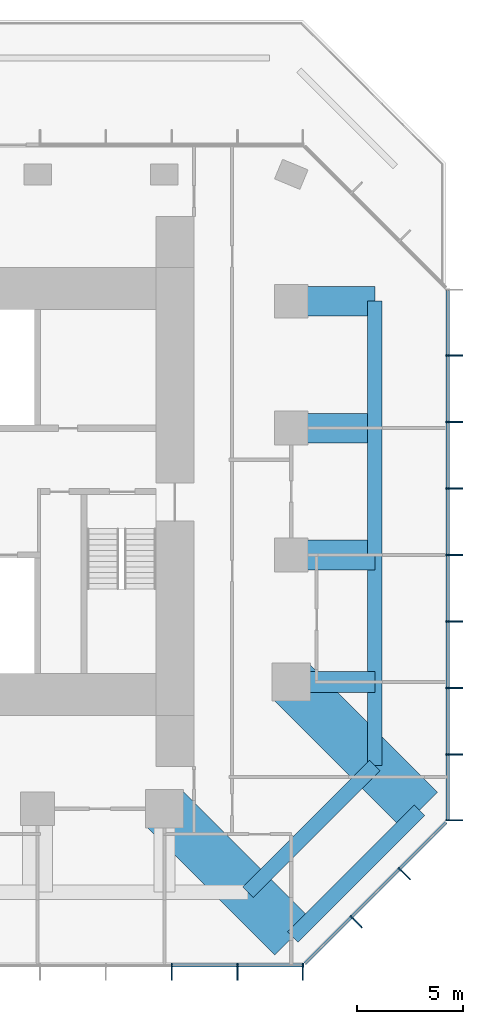
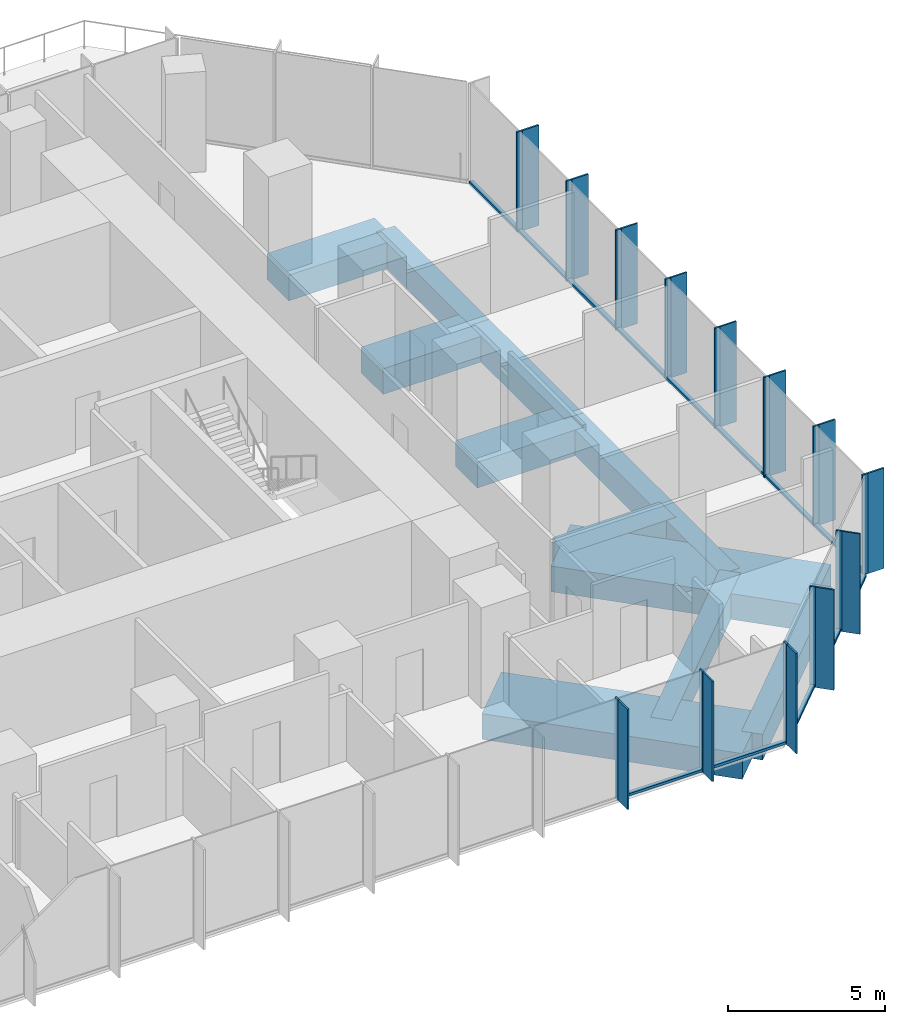
# One storey, part 4 of 11: 39 members, 11 beams, 3 elements without a shape of their own.
"""IFC4 building model written with IfcOpenShell, lengths in metres."""

from ifc_helpers import new_model, si_unit, direction, frame, origin, origin_2d, place, context, subcontext, project, spatial, rectangle, extrude, material, layer, layer_set, material_profile, profile_set, type_object, element, aggregate, save


model = new_model("IFC4")

# Units and contexts
model_context = context("Model", 3, precision=1e-05, world=origin(), true_north=direction((0.0, 1.0)))
body_context = subcontext(model_context, "Body", "Model", "MODEL_VIEW")
ifc_project = project(units=[si_unit("LENGTHUNIT", "METRE"), si_unit("AREAUNIT", "SQUARE_METRE"), si_unit("VOLUMEUNIT", "CUBIC_METRE"), si_unit("PLANEANGLEUNIT", "RADIAN"), si_unit("MASSUNIT", "GRAM", prefix="KILO")], contexts=[model_context])

# Site, building, storey
site_placement = place(None, origin())
site = spatial("IfcSite", under=ifc_project, at=site_placement, CompositionType="ELEMENT")
building_placement = place(site_placement, origin())
building = spatial("IfcBuilding", under=site, at=building_placement, Name="Highveld Stack Headquarters", CompositionType="ELEMENT")
storey_placement = place(building_placement, frame((0.0, 0.0, 268.39990234375)))
storey = spatial("IfcBuildingStorey", under=building, at=storey_placement, Name="L66", CompositionType="ELEMENT", Elevation=268.39990234375)

# Beams
ifc_material_1 = material(Name="Concrete C60/75", Category="concrete")
ifc_material_profile_1 = material_profile(ifc_material_1, rectangle(XDim=1.0, YDim=1.0, at=origin_2d()), Name="RC 1000x1000")
ifc_profile_set_1 = profile_set([ifc_material_profile_1], Name="Concrete C60/75")
beam_type_1 = type_object("IfcBeamType", Name="CANTILEVER RIB RC 1000x1000", PredefinedType="USERDEFINED", material=ifc_profile_set_1)
beam_1_placement = place(storey_placement, frame((24.0, -6.0, -0.75), z_axis=(1.0, 0.0, 0.0), x_axis=(0.0, 1.0, 0.0)))
element("IfcBeam", 1, at=beam_1_placement, inside=storey, type_object=beam_type_1, Name="Cantilever rib 10/D L66", ObjectType="CANTILEVER RIB", PredefinedType="USERDEFINED", context=body_context, shape_type="SweptSolid", body=[
    extrude(rectangle(XDim=1.0, YDim=1.0, at=origin_2d()), origin(), (0.0, 0.0, 1.0), 3.949951171875),
])
ifc_material_2 = material(Name="Concrete C60/75", Category="concrete")
ifc_material_profile_2 = material_profile(ifc_material_2, rectangle(XDim=1.39990234375, YDim=1.0, at=origin_2d()), Name="RC 1400x1000")
ifc_profile_set_2 = profile_set([ifc_material_profile_2], Name="Concrete C60/75")
beam_type_2 = type_object("IfcBeamType", Name="CANTILEVER RIB RC 1400x1000", PredefinedType="USERDEFINED", material=ifc_profile_set_2)
for number, where, z_axis, x_axis, name in (
    (2, (24.0, 0.0, -0.75), (1.0, 0.0, 0.0), (0.0, 1.0, 0.0), "Cantilever rib 10/E L66"),
    (3, (24.0, 6.0, -0.75), (1.0, 0.0, 0.0), (0.0, 1.0, 0.0), "Cantilever rib 10/F L66"),
    (4, (24.0, 12.0, -0.75), (1.0, 0.0, 0.0), (0.0, 1.0, 0.0), "Cantilever rib 10/G L66"),
):
    element("IfcBeam", number, at=place(storey_placement, frame(where, z_axis=z_axis, x_axis=x_axis)), inside=storey, type_object=beam_type_2, Name=name, ObjectType="CANTILEVER RIB", PredefinedType="USERDEFINED", context=body_context, shape_type="SweptSolid", body=[
        extrude(rectangle(XDim=1.39990234375, YDim=1.0, at=origin_2d()), origin(), (0.0, 0.0, 1.0), 3.949951171875),
    ])
ifc_material_3 = material(Name="Concrete C60/75", Category="concrete")
ifc_material_profile_3 = material_profile(ifc_material_3, rectangle(XDim=2.39990234375, YDim=1.0, at=origin_2d()), Name="RC 2400x1000")
ifc_profile_set_3 = profile_set([ifc_material_profile_3], Name="Concrete C60/75")
beam_type_3 = type_object("IfcBeamType", Name="CANTILEVER RIB RC 2400x1000", PredefinedType="USERDEFINED", material=ifc_profile_set_3)
for number, where, z_axis, x_axis, name in (
    (5, (18.0, -12.0, -0.75), (0.707106781187, -0.707106781187, 0.0), (0.707106781187, 0.707106781187, 0.0), "Cantilever rib 9/C L66"),
    (6, (24.0, -6.0, -0.75), (0.707106781187, -0.707106781187, 0.0), (0.707106781187, 0.707106781187, 0.0), "Cantilever rib 10/D L66"),
):
    element("IfcBeam", number, at=place(storey_placement, frame(where, z_axis=z_axis, x_axis=x_axis)), inside=storey, type_object=beam_type_3, Name=name, ObjectType="CANTILEVER RIB", PredefinedType="USERDEFINED", context=body_context, shape_type="SweptSolid", body=[
        extrude(rectangle(XDim=2.39990234375, YDim=1.0, at=origin_2d()), origin(), (0.0, 0.0, 1.0), 8.585693359375),
    ])

# Curtain wall, members
ifc_material_4 = material(Name="Aluminium bronze anodised", Category="aluminium")
ifc_layer = layer(ifc_material_4, 0.199951171875)
ifc_layer_set = layer_set([ifc_layer], Name="Aluminium bronze anodised")
curtain_wall_type = type_object("IfcCurtainWallType", Name="CW5 EXECUTIVE UNITISED CURTAIN WALL", PredefinedType="NOTDEFINED", material=ifc_layer_set)
curtain_wall_1_placement = place(storey_placement, origin())
curtain_wall_1 = element("IfcCurtainWall", 7, at=curtain_wall_1_placement, inside=storey, type_object=curtain_wall_type, Name="Curtain wall CW5 L66 S", PredefinedType="NOTDEFINED")
ifc_material_5 = material(Name="Aluminium bronze anodised", Category="aluminium")
ifc_material_profile_4 = material_profile(ifc_material_5, rectangle(XDim=0.60009765625, YDim=0.06005859375, at=origin_2d()), Name="FIN 600x60")
ifc_profile_set_4 = profile_set([ifc_material_profile_4], Name="Aluminium bronze anodised")
member_type_1 = type_object("IfcMemberType", Name="CW5 BRONZE FIN 600x60", PredefinedType="USERDEFINED", material=ifc_profile_set_4)
member_1_placement = place(storey_placement, frame((18.347900390625, -19.800048828125, 0.0), z_axis=(0.0, 0.0, 1.0), x_axis=(0.0, 1.0, 0.0)))
member_1 = element("IfcMember", 8, at=member_1_placement, type_object=member_type_1, Name="CW5 fin L66 9", ObjectType="FIN", PredefinedType="USERDEFINED", context=body_context, shape_type="SweptSolid", body=[
    extrude(rectangle(XDim=0.60009765625, YDim=0.06005859375, at=origin_2d()), origin(), (0.0, 0.0, 1.0), 3.900146484375),
])
member_2_placement = place(storey_placement, frame((21.4638671875, -19.800048828125, 0.0), z_axis=(0.0, 0.0, 1.0), x_axis=(0.0, 1.0, 0.0)))
member_2 = element("IfcMember", 9, at=member_2_placement, type_object=member_type_1, Name="CW5 fin L66 10", ObjectType="FIN", PredefinedType="USERDEFINED", context=body_context, shape_type="SweptSolid", body=[
    extrude(rectangle(XDim=0.60009765625, YDim=0.06005859375, at=origin_2d()), origin(), (0.0, 0.0, 1.0), 3.900146484375),
])
member_3_placement = place(storey_placement, frame((24.54736328125, -19.800048828125, 0.0), z_axis=(0.0, 0.0, 1.0), x_axis=(0.0, 1.0, 0.0)))
member_3 = element("IfcMember", 10, at=member_3_placement, type_object=member_type_1, Name="CW5 fin L66 11", ObjectType="FIN", PredefinedType="USERDEFINED", context=body_context, shape_type="SweptSolid", body=[
    extrude(rectangle(XDim=0.60009765625, YDim=0.06005859375, at=origin_2d()), origin(), (0.0, 0.0, 1.0), 3.900146484375),
])

curtain_wall_2_placement = place(storey_placement, origin())
curtain_wall_2 = element("IfcCurtainWall", 11, at=curtain_wall_2_placement, inside=storey, type_object=curtain_wall_type, Name="Curtain wall CW5 L66 SE", PredefinedType="NOTDEFINED")
member_4_placement = place(storey_placement, frame((27.135986328125, -17.409423828125, 0.0), z_axis=(0.0, 0.0, 1.0), x_axis=(-0.707106781187, 0.707106781187, 0.0)))
member_4 = element("IfcMember", 12, at=member_4_placement, type_object=member_type_1, Name="CW5 fin L66 1", ObjectType="FIN", PredefinedType="USERDEFINED", context=body_context, shape_type="SweptSolid", body=[
    extrude(rectangle(XDim=0.60009765625, YDim=0.06005859375, at=origin_2d()), origin(), (0.0, 0.0, 1.0), 3.900146484375),
])
member_5_placement = place(storey_placement, frame((29.409423828125, -15.135986328125, 0.0), z_axis=(0.0, 0.0, 1.0), x_axis=(-0.707106781187, 0.707106781187, 0.0)))
member_5 = element("IfcMember", 13, at=member_5_placement, type_object=member_type_1, Name="CW5 fin L66 2", ObjectType="FIN", PredefinedType="USERDEFINED", context=body_context, shape_type="SweptSolid", body=[
    extrude(rectangle(XDim=0.60009765625, YDim=0.06005859375, at=origin_2d()), origin(), (0.0, 0.0, 1.0), 3.900146484375),
])

curtain_wall_3_placement = place(storey_placement, origin())
curtain_wall_3 = element("IfcCurtainWall", 14, at=curtain_wall_3_placement, inside=storey, type_object=curtain_wall_type, Name="Curtain wall CW5 L66 E", PredefinedType="NOTDEFINED")
member_6_placement = place(storey_placement, frame((31.800048828125, -12.54736328125, 0.0), z_axis=(0.0, 0.0, 1.0), x_axis=(-1.0, 0.0, 0.0)))
member_6 = element("IfcMember", 15, at=member_6_placement, type_object=member_type_1, Name="CW5 fin L66 1", ObjectType="FIN", PredefinedType="USERDEFINED", context=body_context, shape_type="SweptSolid", body=[
    extrude(rectangle(XDim=0.60009765625, YDim=0.06005859375, at=origin_2d()), origin(), (0.0, 0.0, 1.0), 3.900146484375),
])
member_7_placement = place(storey_placement, frame((31.800048828125, -9.434814453125, 0.0), z_axis=(0.0, 0.0, 1.0), x_axis=(-1.0, 0.0, 0.0)))
member_7 = element("IfcMember", 16, at=member_7_placement, type_object=member_type_1, Name="CW5 fin L66 2", ObjectType="FIN", PredefinedType="USERDEFINED", context=body_context, shape_type="SweptSolid", body=[
    extrude(rectangle(XDim=0.60009765625, YDim=0.06005859375, at=origin_2d()), origin(), (0.0, 0.0, 1.0), 3.900146484375),
])
member_8_placement = place(storey_placement, frame((31.800048828125, -6.2900390625, 0.0), z_axis=(0.0, 0.0, 1.0), x_axis=(-1.0, 0.0, 0.0)))
member_8 = element("IfcMember", 17, at=member_8_placement, type_object=member_type_1, Name="CW5 fin L66 3", ObjectType="FIN", PredefinedType="USERDEFINED", context=body_context, shape_type="SweptSolid", body=[
    extrude(rectangle(XDim=0.60009765625, YDim=0.06005859375, at=origin_2d()), origin(), (0.0, 0.0, 1.0), 3.900146484375),
])
member_9_placement = place(storey_placement, frame((31.800048828125, -3.14501953125, 0.0), z_axis=(0.0, 0.0, 1.0), x_axis=(-1.0, 0.0, 0.0)))
member_9 = element("IfcMember", 18, at=member_9_placement, type_object=member_type_1, Name="CW5 fin L66 4", ObjectType="FIN", PredefinedType="USERDEFINED", context=body_context, shape_type="SweptSolid", body=[
    extrude(rectangle(XDim=0.60009765625, YDim=0.06005859375, at=origin_2d()), origin(), (0.0, 0.0, 1.0), 3.900146484375),
])
member_10_placement = place(storey_placement, frame((31.800048828125, 0.0, 0.0), z_axis=(0.0, 0.0, 1.0), x_axis=(-1.0, 0.0, 0.0)))
member_10 = element("IfcMember", 19, at=member_10_placement, type_object=member_type_1, Name="CW5 fin L66 5", ObjectType="FIN", PredefinedType="USERDEFINED", context=body_context, shape_type="SweptSolid", body=[
    extrude(rectangle(XDim=0.60009765625, YDim=0.06005859375, at=origin_2d()), origin(), (0.0, 0.0, 1.0), 3.900146484375),
])
member_11_placement = place(storey_placement, frame((31.800048828125, 3.14501953125, 0.0), z_axis=(0.0, 0.0, 1.0), x_axis=(-1.0, 0.0, 0.0)))
member_11 = element("IfcMember", 20, at=member_11_placement, type_object=member_type_1, Name="CW5 fin L66 6", ObjectType="FIN", PredefinedType="USERDEFINED", context=body_context, shape_type="SweptSolid", body=[
    extrude(rectangle(XDim=0.60009765625, YDim=0.06005859375, at=origin_2d()), origin(), (0.0, 0.0, 1.0), 3.900146484375),
])
member_12_placement = place(storey_placement, frame((31.800048828125, 6.289794921875, 0.0), z_axis=(0.0, 0.0, 1.0), x_axis=(-1.0, 0.0, 0.0)))
member_12 = element("IfcMember", 21, at=member_12_placement, type_object=member_type_1, Name="CW5 fin L66 7", ObjectType="FIN", PredefinedType="USERDEFINED", context=body_context, shape_type="SweptSolid", body=[
    extrude(rectangle(XDim=0.60009765625, YDim=0.06005859375, at=origin_2d()), origin(), (0.0, 0.0, 1.0), 3.900146484375),
])
member_13_placement = place(storey_placement, frame((31.800048828125, 9.434814453125, 0.0), z_axis=(0.0, 0.0, 1.0), x_axis=(-1.0, 0.0, 0.0)))
member_13 = element("IfcMember", 22, at=member_13_placement, type_object=member_type_1, Name="CW5 fin L66 8", ObjectType="FIN", PredefinedType="USERDEFINED", context=body_context, shape_type="SweptSolid", body=[
    extrude(rectangle(XDim=0.60009765625, YDim=0.06005859375, at=origin_2d()), origin(), (0.0, 0.0, 1.0), 3.900146484375),
])

# Member
ifc_material_6 = material(Name="Aluminium bronze anodised", Category="aluminium")
ifc_material_profile_5 = material_profile(ifc_material_6, rectangle(XDim=0.199951171875, YDim=0.06494140625, at=origin_2d()), Name="CW5 MULLION 65x200")
ifc_profile_set_5 = profile_set([ifc_material_profile_5], Name="Aluminium bronze anodised")
member_type_2 = type_object("IfcMemberType", Name="CW5 MULLION 65x200", PredefinedType="MULLION", material=ifc_profile_set_5)
member_14_placement = place(storey_placement, frame((18.347900390625, -19.39990234375, 0.0), z_axis=(0.0, 0.0, 1.0), x_axis=(0.0, 1.0, 0.0)))
member_14 = element("IfcMember", 23, at=member_14_placement, type_object=member_type_2, Name="CW5 mullion L66 9", PredefinedType="MULLION", context=body_context, shape_type="SweptSolid", body=[
    extrude(rectangle(XDim=0.199951171875, YDim=0.06494140625, at=origin_2d()), origin(), (0.0, 0.0, 1.0), 3.900146484375),
])

member_15_placement = place(storey_placement, frame((21.4638671875, -19.39990234375, 0.0), z_axis=(0.0, 0.0, 1.0), x_axis=(0.0, 1.0, 0.0)))
member_15 = element("IfcMember", 24, at=member_15_placement, type_object=member_type_2, Name="CW5 mullion L66 10", PredefinedType="MULLION", context=body_context, shape_type="SweptSolid", body=[
    extrude(rectangle(XDim=0.199951171875, YDim=0.06494140625, at=origin_2d()), origin(), (0.0, 0.0, 1.0), 3.900146484375),
])

member_16_placement = place(storey_placement, frame((24.54736328125, -19.39990234375, 0.0), z_axis=(0.0, 0.0, 1.0), x_axis=(0.0, 1.0, 0.0)))
member_16 = element("IfcMember", 25, at=member_16_placement, type_object=member_type_2, Name="CW5 mullion L66 11", PredefinedType="MULLION", context=body_context, shape_type="SweptSolid", body=[
    extrude(rectangle(XDim=0.199951171875, YDim=0.06494140625, at=origin_2d()), origin(), (0.0, 0.0, 1.0), 3.900146484375),
])

member_17_placement = place(storey_placement, frame((26.853271484375, -17.126708984375, 0.0), z_axis=(0.0, 0.0, 1.0), x_axis=(-0.707106781187, 0.707106781187, 0.0)))
member_17 = element("IfcMember", 26, at=member_17_placement, type_object=member_type_2, Name="CW5 mullion L66 1", PredefinedType="MULLION", context=body_context, shape_type="SweptSolid", body=[
    extrude(rectangle(XDim=0.199951171875, YDim=0.06494140625, at=origin_2d()), origin(), (0.0, 0.0, 1.0), 3.900146484375),
])

member_18_placement = place(storey_placement, frame((29.126708984375, -14.853271484375, 0.0), z_axis=(0.0, 0.0, 1.0), x_axis=(-0.707106781187, 0.707106781187, 0.0)))
member_18 = element("IfcMember", 27, at=member_18_placement, type_object=member_type_2, Name="CW5 mullion L66 2", PredefinedType="MULLION", context=body_context, shape_type="SweptSolid", body=[
    extrude(rectangle(XDim=0.199951171875, YDim=0.06494140625, at=origin_2d()), origin(), (0.0, 0.0, 1.0), 3.900146484375),
])

member_19_placement = place(storey_placement, frame((31.39990234375, -12.54736328125, 0.0), z_axis=(0.0, 0.0, 1.0), x_axis=(-1.0, 0.0, 0.0)))
member_19 = element("IfcMember", 28, at=member_19_placement, type_object=member_type_2, Name="CW5 mullion L66 1", PredefinedType="MULLION", context=body_context, shape_type="SweptSolid", body=[
    extrude(rectangle(XDim=0.199951171875, YDim=0.06494140625, at=origin_2d()), origin(), (0.0, 0.0, 1.0), 3.900146484375),
])

member_20_placement = place(storey_placement, frame((31.39990234375, -9.434814453125, 0.0), z_axis=(0.0, 0.0, 1.0), x_axis=(-1.0, 0.0, 0.0)))
member_20 = element("IfcMember", 29, at=member_20_placement, type_object=member_type_2, Name="CW5 mullion L66 2", PredefinedType="MULLION", context=body_context, shape_type="SweptSolid", body=[
    extrude(rectangle(XDim=0.199951171875, YDim=0.06494140625, at=origin_2d()), origin(), (0.0, 0.0, 1.0), 3.900146484375),
])

member_21_placement = place(storey_placement, frame((31.39990234375, -6.2900390625, 0.0), z_axis=(0.0, 0.0, 1.0), x_axis=(-1.0, 0.0, 0.0)))
member_21 = element("IfcMember", 30, at=member_21_placement, type_object=member_type_2, Name="CW5 mullion L66 3", PredefinedType="MULLION", context=body_context, shape_type="SweptSolid", body=[
    extrude(rectangle(XDim=0.199951171875, YDim=0.06494140625, at=origin_2d()), origin(), (0.0, 0.0, 1.0), 3.900146484375),
])

member_22_placement = place(storey_placement, frame((31.39990234375, -3.14501953125, 0.0), z_axis=(0.0, 0.0, 1.0), x_axis=(-1.0, 0.0, 0.0)))
member_22 = element("IfcMember", 31, at=member_22_placement, type_object=member_type_2, Name="CW5 mullion L66 4", PredefinedType="MULLION", context=body_context, shape_type="SweptSolid", body=[
    extrude(rectangle(XDim=0.199951171875, YDim=0.06494140625, at=origin_2d()), origin(), (0.0, 0.0, 1.0), 3.900146484375),
])

member_23_placement = place(storey_placement, frame((31.39990234375, 0.0, 0.0), z_axis=(0.0, 0.0, 1.0), x_axis=(-1.0, 0.0, 0.0)))
member_23 = element("IfcMember", 32, at=member_23_placement, type_object=member_type_2, Name="CW5 mullion L66 5", PredefinedType="MULLION", context=body_context, shape_type="SweptSolid", body=[
    extrude(rectangle(XDim=0.199951171875, YDim=0.06494140625, at=origin_2d()), origin(), (0.0, 0.0, 1.0), 3.900146484375),
])

member_24_placement = place(storey_placement, frame((31.39990234375, 3.14501953125, 0.0), z_axis=(0.0, 0.0, 1.0), x_axis=(-1.0, 0.0, 0.0)))
member_24 = element("IfcMember", 33, at=member_24_placement, type_object=member_type_2, Name="CW5 mullion L66 6", PredefinedType="MULLION", context=body_context, shape_type="SweptSolid", body=[
    extrude(rectangle(XDim=0.199951171875, YDim=0.06494140625, at=origin_2d()), origin(), (0.0, 0.0, 1.0), 3.900146484375),
])

member_25_placement = place(storey_placement, frame((31.39990234375, 6.289794921875, 0.0), z_axis=(0.0, 0.0, 1.0), x_axis=(-1.0, 0.0, 0.0)))
member_25 = element("IfcMember", 34, at=member_25_placement, type_object=member_type_2, Name="CW5 mullion L66 7", PredefinedType="MULLION", context=body_context, shape_type="SweptSolid", body=[
    extrude(rectangle(XDim=0.199951171875, YDim=0.06494140625, at=origin_2d()), origin(), (0.0, 0.0, 1.0), 3.900146484375),
])

member_26_placement = place(storey_placement, frame((31.39990234375, 9.434814453125, 0.0), z_axis=(0.0, 0.0, 1.0), x_axis=(-1.0, 0.0, 0.0)))
member_26 = element("IfcMember", 35, at=member_26_placement, type_object=member_type_2, Name="CW5 mullion L66 8", PredefinedType="MULLION", context=body_context, shape_type="SweptSolid", body=[
    extrude(rectangle(XDim=0.199951171875, YDim=0.06494140625, at=origin_2d()), origin(), (0.0, 0.0, 1.0), 3.900146484375),
])

ifc_material_7 = material(Name="Aluminium bronze anodised", Category="aluminium")
ifc_material_profile_6 = material_profile(ifc_material_7, rectangle(XDim=0.14990234375, YDim=0.10009765625, at=origin_2d()), Name="CW5 TRANSOM 150x100")
ifc_profile_set_6 = profile_set([ifc_material_profile_6], Name="Aluminium bronze anodised")
member_type_3 = type_object("IfcMemberType", Name="CW5 STACK TRANSOM 150x100", PredefinedType="USERDEFINED", material=ifc_profile_set_6)
member_27_placement = place(storey_placement, frame((18.38037109375, -19.39990234375, 0.050048828125), z_axis=(1.0, 0.0, 0.0), x_axis=(0.0, 1.0, 0.0)))
member_27 = element("IfcMember", 36, at=member_27_placement, type_object=member_type_3, Name="CW5 transom L66 9.1", ObjectType="TRANSOM", PredefinedType="USERDEFINED", context=body_context, shape_type="SweptSolid", body=[
    extrude(rectangle(XDim=0.14990234375, YDim=0.10009765625, at=origin_2d()), origin(), (0.0, 0.0, 1.0), 3.051025390625),
])

member_28_placement = place(storey_placement, frame((21.496337890625, -19.39990234375, 0.050048828125), z_axis=(1.0, 0.0, 0.0), x_axis=(0.0, 1.0, 0.0)))
member_28 = element("IfcMember", 37, at=member_28_placement, type_object=member_type_3, Name="CW5 transom L66 10.1", ObjectType="TRANSOM", PredefinedType="USERDEFINED", context=body_context, shape_type="SweptSolid", body=[
    extrude(rectangle(XDim=0.14990234375, YDim=0.10009765625, at=origin_2d()), origin(), (0.0, 0.0, 1.0), 3.0185546875),
])

aggregate(curtain_wall_1, [member_14, member_1, member_15, member_2, member_16, member_3, member_27, member_28])

member_29_placement = place(storey_placement, frame((24.650634765625, -19.329345703125, 0.050048828125), z_axis=(0.707106781187, 0.707106781187, 0.0), x_axis=(-0.707106781187, 0.707106781187, 0.0)))
member_29 = element("IfcMember", 38, at=member_29_placement, type_object=member_type_3, Name="CW5 transom L66 1.1", ObjectType="TRANSOM", PredefinedType="USERDEFINED", context=body_context, shape_type="SweptSolid", body=[
    extrude(rectangle(XDim=0.14990234375, YDim=0.10009765625, at=origin_2d()), origin(), (0.0, 0.0, 1.0), 3.08251953125),
])

member_30_placement = place(storey_placement, frame((26.876220703125, -17.103759765625, 0.050048828125), z_axis=(0.707106781187, 0.707106781187, 0.0), x_axis=(-0.707106781187, 0.707106781187, 0.0)))
member_30 = element("IfcMember", 39, at=member_30_placement, type_object=member_type_3, Name="CW5 transom L66 2.1", ObjectType="TRANSOM", PredefinedType="USERDEFINED", context=body_context, shape_type="SweptSolid", body=[
    extrude(rectangle(XDim=0.14990234375, YDim=0.10009765625, at=origin_2d()), origin(), (0.0, 0.0, 1.0), 3.150146484375),
])

member_31_placement = place(storey_placement, frame((29.149658203125, -14.830322265625, 0.050048828125), z_axis=(0.707106781187, 0.707106781187, 0.0), x_axis=(-0.707106781187, 0.707106781187, 0.0)))
member_31 = element("IfcMember", 40, at=member_31_placement, type_object=member_type_3, Name="CW5 transom L66 3.1", ObjectType="TRANSOM", PredefinedType="USERDEFINED", context=body_context, shape_type="SweptSolid", body=[
    extrude(rectangle(XDim=0.14990234375, YDim=0.10009765625, at=origin_2d()), origin(), (0.0, 0.0, 1.0), 3.08251953125),
])

aggregate(curtain_wall_2, [member_17, member_4, member_18, member_5, member_29, member_30, member_31])

member_32_placement = place(storey_placement, frame((31.39990234375, -12.514892578125, 0.050048828125), z_axis=(0.0, 1.0, 0.0), x_axis=(-1.0, 0.0, 0.0)))
member_32 = element("IfcMember", 41, at=member_32_placement, type_object=member_type_3, Name="CW5 transom L66 1.1", ObjectType="TRANSOM", PredefinedType="USERDEFINED", context=body_context, shape_type="SweptSolid", body=[
    extrude(rectangle(XDim=0.14990234375, YDim=0.10009765625, at=origin_2d()), origin(), (0.0, 0.0, 1.0), 3.047607421875),
])

member_33_placement = place(storey_placement, frame((31.39990234375, -9.40234375, 0.050048828125), z_axis=(0.0, 1.0, 0.0), x_axis=(-1.0, 0.0, 0.0)))
member_33 = element("IfcMember", 42, at=member_33_placement, type_object=member_type_3, Name="CW5 transom L66 2.1", ObjectType="TRANSOM", PredefinedType="USERDEFINED", context=body_context, shape_type="SweptSolid", body=[
    extrude(rectangle(XDim=0.14990234375, YDim=0.10009765625, at=origin_2d()), origin(), (0.0, 0.0, 1.0), 3.079833984375),
])

member_34_placement = place(storey_placement, frame((31.39990234375, -6.257568359375, 0.050048828125), z_axis=(0.0, 1.0, 0.0), x_axis=(-1.0, 0.0, 0.0)))
member_34 = element("IfcMember", 43, at=member_34_placement, type_object=member_type_3, Name="CW5 transom L66 3.1", ObjectType="TRANSOM", PredefinedType="USERDEFINED", context=body_context, shape_type="SweptSolid", body=[
    extrude(rectangle(XDim=0.14990234375, YDim=0.10009765625, at=origin_2d()), origin(), (0.0, 0.0, 1.0), 3.080078125),
])

member_35_placement = place(storey_placement, frame((31.39990234375, -3.112548828125, 0.050048828125), z_axis=(0.0, 1.0, 0.0), x_axis=(-1.0, 0.0, 0.0)))
member_35 = element("IfcMember", 44, at=member_35_placement, type_object=member_type_3, Name="CW5 transom L66 4.1", ObjectType="TRANSOM", PredefinedType="USERDEFINED", context=body_context, shape_type="SweptSolid", body=[
    extrude(rectangle(XDim=0.14990234375, YDim=0.10009765625, at=origin_2d()), origin(), (0.0, 0.0, 1.0), 3.080078125),
])

member_36_placement = place(storey_placement, frame((31.39990234375, 0.032470703125, 0.050048828125), z_axis=(0.0, 1.0, 0.0), x_axis=(-1.0, 0.0, 0.0)))
member_36 = element("IfcMember", 45, at=member_36_placement, type_object=member_type_3, Name="CW5 transom L66 5.1", ObjectType="TRANSOM", PredefinedType="USERDEFINED", context=body_context, shape_type="SweptSolid", body=[
    extrude(rectangle(XDim=0.14990234375, YDim=0.10009765625, at=origin_2d()), origin(), (0.0, 0.0, 1.0), 3.080078125),
])

member_37_placement = place(storey_placement, frame((31.39990234375, 3.177490234375, 0.050048828125), z_axis=(0.0, 1.0, 0.0), x_axis=(-1.0, 0.0, 0.0)))
member_37 = element("IfcMember", 46, at=member_37_placement, type_object=member_type_3, Name="CW5 transom L66 6.1", ObjectType="TRANSOM", PredefinedType="USERDEFINED", context=body_context, shape_type="SweptSolid", body=[
    extrude(rectangle(XDim=0.14990234375, YDim=0.10009765625, at=origin_2d()), origin(), (0.0, 0.0, 1.0), 3.080078125),
])

member_38_placement = place(storey_placement, frame((31.39990234375, 6.322509765625, 0.050048828125), z_axis=(0.0, 1.0, 0.0), x_axis=(-1.0, 0.0, 0.0)))
member_38 = element("IfcMember", 47, at=member_38_placement, type_object=member_type_3, Name="CW5 transom L66 7.1", ObjectType="TRANSOM", PredefinedType="USERDEFINED", context=body_context, shape_type="SweptSolid", body=[
    extrude(rectangle(XDim=0.14990234375, YDim=0.10009765625, at=origin_2d()), origin(), (0.0, 0.0, 1.0), 3.079833984375),
])

member_39_placement = place(storey_placement, frame((31.39990234375, 9.46728515625, 0.050048828125), z_axis=(0.0, 1.0, 0.0), x_axis=(-1.0, 0.0, 0.0)))
member_39 = element("IfcMember", 48, at=member_39_placement, type_object=member_type_3, Name="CW5 transom L66 8.1", ObjectType="TRANSOM", PredefinedType="USERDEFINED", context=body_context, shape_type="SweptSolid", body=[
    extrude(rectangle(XDim=0.14990234375, YDim=0.10009765625, at=origin_2d()), origin(), (0.0, 0.0, 1.0), 3.047607421875),
])

aggregate(curtain_wall_3, [member_19, member_6, member_20, member_7, member_21, member_8, member_22, member_9, member_23, member_10, member_24, member_11, member_25, member_12, member_26, member_13, member_32, member_33, member_34, member_35, member_36, member_37, member_38, member_39])

# Beams
ifc_material_8 = material(Name="Concrete C60/75", Category="concrete")
ifc_material_profile_7 = material_profile(ifc_material_8, rectangle(XDim=0.699951171875, YDim=1.0, at=origin_2d()), Name="RC 700x1000")
ifc_profile_set_7 = profile_set([ifc_material_profile_7], Name="Concrete C60/75")
beam_type_4 = type_object("IfcBeamType", Name="RIB TIP BEAM RC 700x1000", PredefinedType="SPANDREL", material=ifc_profile_set_7)
beam_2_placement = place(storey_placement, frame((27.949951171875, -9.949951171875, -0.75), z_axis=(0.0, 1.0, 0.0), x_axis=(-1.0, 0.0, 0.0)))
element("IfcBeam", 49, at=beam_2_placement, inside=storey, type_object=beam_type_4, Name="Rib tip beam 10/D to 10/E L66", PredefinedType="SPANDREL", context=body_context, shape_type="SweptSolid", body=[
    extrude(rectangle(XDim=0.699951171875, YDim=1.0, at=origin_2d()), origin(), (0.0, 0.0, 1.0), 9.949951171875),
])
for number, where, z_axis, x_axis, name in (
    (50, (27.949951171875, 0.0, -0.75), (0.0, 1.0, 0.0), (-1.0, 0.0, 0.0), "Rib tip beam 10/E to 10/F L66"),
    (51, (27.949951171875, 6.0, -0.75), (0.0, 1.0, 0.0), (-1.0, 0.0, 0.0), "Rib tip beam 10/F to 10/G L66"),
):
    element("IfcBeam", number, at=place(storey_placement, frame(where, z_axis=z_axis, x_axis=x_axis)), inside=storey, type_object=beam_type_4, Name=name, PredefinedType="SPANDREL", context=body_context, shape_type="SweptSolid", body=[
        extrude(rectangle(XDim=0.699951171875, YDim=1.0, at=origin_2d()), origin(), (0.0, 0.0, 1.0), 6.0),
    ])
for number, where, z_axis, x_axis, name in (
    (52, (21.949951171875, -15.949951171875, -0.75), (0.707106781187, 0.707106781187, 0.0), (-0.707106781187, 0.707106781187, 0.0), "Rib tip beam 9/C to 10/D chamfer L66"),
    (53, (24.071044921875, -18.071044921875, -0.75), (0.707106781187, 0.707106781187, 0.0), (-0.707106781187, 0.707106781187, 0.0), "Rib tip beam 9/C to 10/D chamfer edge L66"),
):
    element("IfcBeam", number, at=place(storey_placement, frame(where, z_axis=z_axis, x_axis=x_axis)), inside=storey, type_object=beam_type_4, Name=name, PredefinedType="SPANDREL", context=body_context, shape_type="SweptSolid", body=[
        extrude(rectangle(XDim=0.699951171875, YDim=1.0, at=origin_2d()), origin(), (0.0, 0.0, 1.0), 8.4853515625),
    ])

save(model, "model.ifc")
